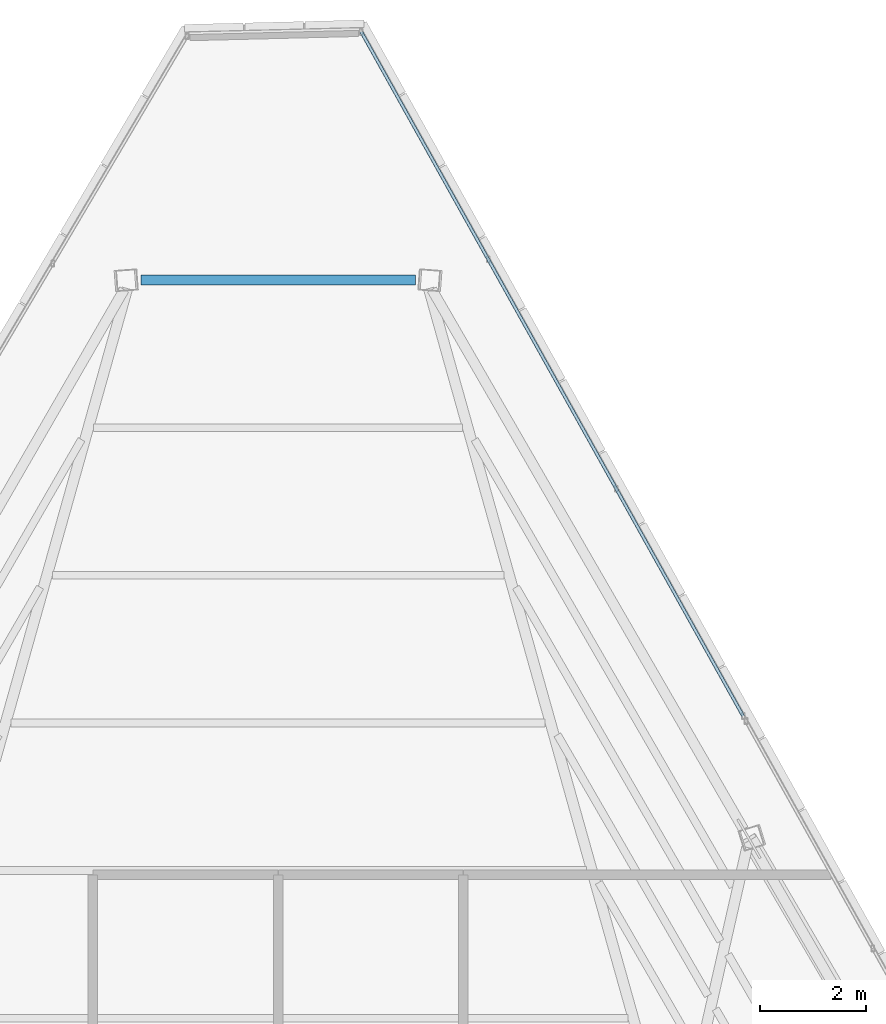
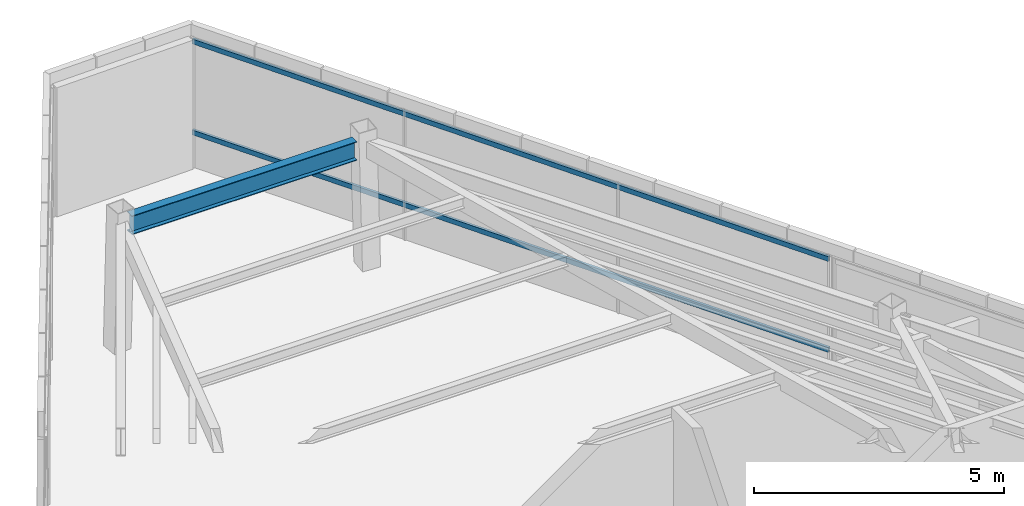
# One storey, part 36 of 44: 2 members, 1 beam, 1 element without a shape of its own.
"""IFC4 building model written with IfcOpenShell, lengths in metres."""

from ifc_helpers import new_model, si_unit, direction, frame, origin, origin_2d, place, context, subcontext, project, spatial, hollow_rectangle, i_section, extrude, source, transform, mapped, material, material_profile, profile_set, type_object, type_shapes, element, aggregate, save


model = new_model("IFC4")

# Units and contexts
model_context = context("Model", 3, precision=1e-05, world=origin(), true_north=direction((0.0, 1.0)))
body_context = subcontext(model_context, "Body", "Model", "MODEL_VIEW")
ifc_project = project(units=[si_unit("LENGTHUNIT", "METRE"), si_unit("AREAUNIT", "SQUARE_METRE"), si_unit("VOLUMEUNIT", "CUBIC_METRE"), si_unit("PLANEANGLEUNIT", "RADIAN"), si_unit("MASSUNIT", "GRAM", prefix="KILO")], contexts=[model_context])

# Site, building, storey
site_placement = place(None, origin())
site = spatial("IfcSite", under=ifc_project, at=site_placement, CompositionType="ELEMENT")
building_placement = place(site_placement, origin())
building = spatial("IfcBuilding", under=site, at=building_placement, Name="Caelisora Broadcast Tower", CompositionType="ELEMENT")
storey_placement = place(building_placement, frame((0.0, 0.0, 296.60009765625)))
storey = spatial("IfcBuildingStorey", under=building, at=storey_placement, Name="L78", CompositionType="ELEMENT", Elevation=296.60009765625)

# Beam
ifc_material_1 = material(Name="Steel Grade 350 (AS/NZS 3679.1)", Category="steel")
ifc_material_profile_1 = material_profile(ifc_material_1, i_section(OverallWidth=0.19091796875, OverallDepth=0.46044921875, WebThickness=0.010009765625, FlangeThickness=0.01611328125, at=origin_2d()), Name="Steel Grade 350 (AS/NZS 3679.1)")
ifc_profile_set_1 = profile_set([ifc_material_profile_1], Name="Steel Grade 350 (AS/NZS 3679.1)")
beam_type = type_object("IfcBeamType", Name="PG06", PredefinedType="BEAM", material=ifc_profile_set_1)
shared_shape_1 = source(origin(), body_context, "Body", "SweptSolid", [
    extrude(i_section(OverallWidth=0.19091796875, OverallDepth=0.46044921875, WebThickness=0.010009765625, FlangeThickness=0.01611328125, at=origin_2d()), origin(), (0.0, 0.0, 1.0), 5.19287109375),
])
type_shapes(beam_type, [shared_shape_1])
beam_placement = place(storey_placement, frame((40.596435546875, 46.75146484375, 2.919677734375), z_axis=(-1.0, 0.0, 0.0), x_axis=(0.0, -1.0, 0.0)))
element("IfcBeam", 1, at=beam_placement, inside=storey, type_object=beam_type, Name="L78 beam PG06", PredefinedType="BEAM", context=body_context, shape_type="MappedRepresentation", body=[
    mapped(shared_shape_1, transform((0.0, 0.0, 0.0), scale=1.0)),
])

# Curtain wall, members
ifc_material_2 = material(Name="Unitised Aluminium Insulated Shadow-Box Spandrel Curtain Wall", Category="aluminium")
curtain_wall_type = type_object("IfcCurtainWallType", Name="CW-SP3", PredefinedType="NOTDEFINED", material=ifc_material_2)
curtain_wall_placement = place(storey_placement, origin())
curtain_wall = element("IfcCurtainWall", 2, at=curtain_wall_placement, inside=storey, type_object=curtain_wall_type, Name="L78 curtain wall CW-SP3", PredefinedType="NOTDEFINED")
ifc_material_3 = material(Name="Aluminium 6063-T6 Anodised Terracotta Bronze", Category="aluminium")
ifc_material_profile_2 = material_profile(ifc_material_3, hollow_rectangle(XDim=0.06005859375, YDim=0.1201171875, WallThickness=0.0029296875, at=origin_2d()), Name="Aluminium 6063-T6 Anodised Terracotta Bronze")
ifc_profile_set_2 = profile_set([ifc_material_profile_2], Name="Aluminium 6063-T6 Anodised Terracotta Bronze")
member_type = type_object("IfcMemberType", Name="CWT-03", PredefinedType="USERDEFINED", material=ifc_profile_set_2)
shared_shape_2 = source(origin(), body_context, "Body", "SweptSolid", [
    extrude(hollow_rectangle(XDim=0.06005859375, YDim=0.1201171875, WallThickness=0.0029296875, at=origin_2d()), origin(), (0.0, 0.0, 1.0), 14.816162109375),
])
type_shapes(member_type, [shared_shape_2])
member_1_placement = place(storey_placement, frame((39.573486328125, 51.4423828125, 0.849853515625), z_axis=(0.487367035821, -0.873197212774, 0.0), x_axis=(0.873197212774, 0.487367035821, 0.0)))
member_1 = element("IfcMember", 3, at=member_1_placement, type_object=member_type, Name="L78-CW-B01 transom #1", ObjectType="TRANSOM", PredefinedType="USERDEFINED", context=body_context, shape_type="MappedRepresentation", body=[
    mapped(shared_shape_2, transform((0.0, 0.0, 0.0), scale=1.0)),
])
member_2_placement = place(storey_placement, frame((39.573486328125, 51.4423828125, 3.06982421875), z_axis=(0.487367035821, -0.873197212774, 0.0), x_axis=(0.873197212774, 0.487367035821, 0.0)))
member_2 = element("IfcMember", 4, at=member_2_placement, type_object=member_type, Name="L78-CW-B01 transom #2", ObjectType="TRANSOM", PredefinedType="USERDEFINED", context=body_context, shape_type="MappedRepresentation", body=[
    mapped(shared_shape_2, transform((0.0, 0.0, 0.0), scale=1.0)),
])
aggregate(curtain_wall, [member_1, member_2])

save(model, "model.ifc")
